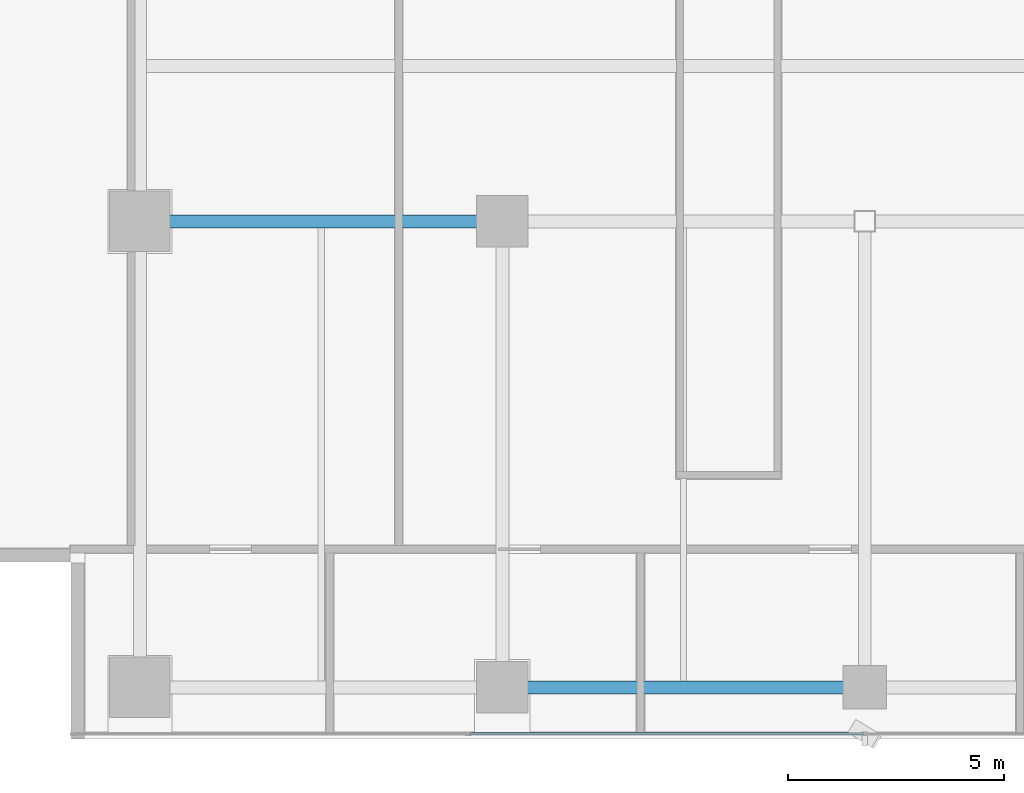
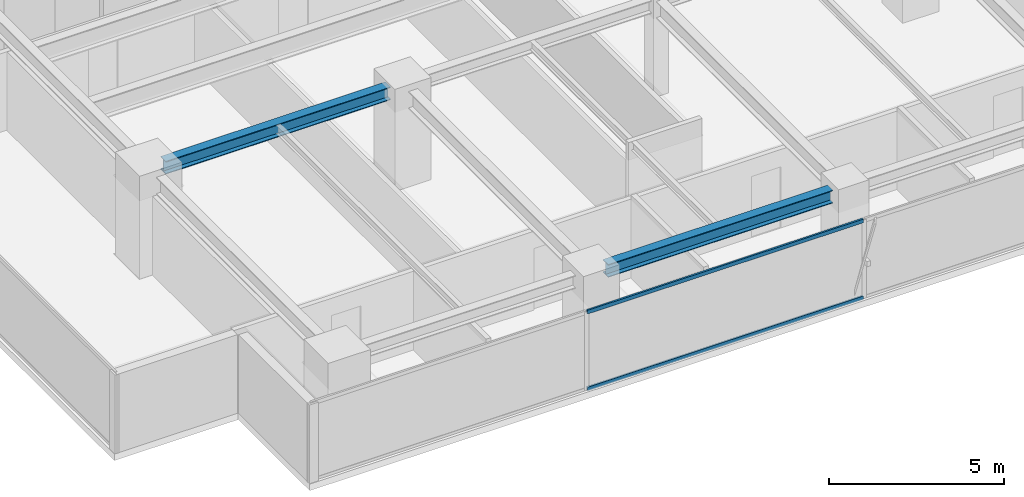
# One storey, part 5 of 26: 2 beams, 2 members, 1 element without a shape of its own.
"""IFC4 building model written with IfcOpenShell, lengths in metres."""

from ifc_helpers import new_model, si_unit, direction, frame, origin, origin_2d, place, context, subcontext, project, spatial, hollow_rectangle, i_section, extrude, source, transform, mapped, material, layer, layer_set, material_profile, profile_set, type_object, element, aggregate, save


model = new_model("IFC4")

# Units and contexts
model_context = context("Model", 3, precision=1e-05, world=origin(), true_north=direction((0.0, 1.0)))
body_context = subcontext(model_context, "Body", "Model", "MODEL_VIEW")
ifc_project = project(units=[si_unit("LENGTHUNIT", "METRE"), si_unit("AREAUNIT", "SQUARE_METRE"), si_unit("VOLUMEUNIT", "CUBIC_METRE"), si_unit("PLANEANGLEUNIT", "RADIAN"), si_unit("MASSUNIT", "GRAM", prefix="KILO")], contexts=[model_context])

# Site, building, storey
site_placement = place(None, origin())
site = spatial("IfcSite", under=ifc_project, at=site_placement, CompositionType="ELEMENT")
building_placement = place(site_placement, origin())
building = spatial("IfcBuilding", under=site, at=building_placement, Name="Sumidabori Civic Tower", CompositionType="ELEMENT")
storey_placement = place(building_placement, frame((0.0, 0.0, 261.199951171875)))
storey = spatial("IfcBuildingStorey", under=building, at=storey_placement, Name="L68", CompositionType="ELEMENT", Elevation=261.199951171875)

# Beams
ifc_material_1 = material(Name="Steel SN490", Category="steel")
ifc_material_profile_1 = material_profile(ifc_material_1, i_section(OverallWidth=0.300048828125, OverallDepth=0.449951171875, WebThickness=0.013916015625, FlangeThickness=0.02587890625, at=origin_2d()), Name="HE 450 B")
ifc_profile_set_1 = profile_set([ifc_material_profile_1], Name="Steel SN490")
beam_type = type_object("IfcBeamType", Name="BM-GIRD-450", PredefinedType="BEAM", material=ifc_profile_set_1)
shared_shape_1 = source(origin(), body_context, "Body", "SweptSolid", [
    extrude(i_section(OverallWidth=0.300048828125, OverallDepth=0.449951171875, WebThickness=0.013916015625, FlangeThickness=0.02587890625, at=origin_2d()), origin(), (0.0, 0.0, 1.0), 7.440185546875),
])
beam_1_placement = place(storey_placement, frame((-16.320068359375, 0.0, 3.14501953125), z_axis=(1.0, 0.0, 0.0), x_axis=(0.0, 1.0, 0.0)))
element("IfcBeam", 1, at=beam_1_placement, inside=storey, type_object=beam_type, Name="Primary Girder L68 GX-05", PredefinedType="BEAM", context=body_context, shape_type="MappedRepresentation", body=[
    mapped(shared_shape_1, transform((0.0, 0.0, 0.0), x_axis=(1.0, 0.0, 0.0), y_axis=(0.0, 1.0, 0.0), z_axis=(0.0, 0.0, 1.0), scale=1.0)),
])
shared_shape_2 = source(origin(), body_context, "Body", "SweptSolid", [
    extrude(i_section(OverallWidth=0.300048828125, OverallDepth=0.449951171875, WebThickness=0.013916015625, FlangeThickness=0.02587890625, at=origin_2d()), origin(), (0.0, 0.0, 1.0), 7.43994140625),
])
beam_2_placement = place(storey_placement, frame((-7.919921875, -10.800048828125, 3.14501953125), z_axis=(1.0, 0.0, 0.0), x_axis=(0.0, 1.0, 0.0)))
element("IfcBeam", 2, at=beam_2_placement, inside=storey, type_object=beam_type, Name="Primary Girder L68 GX-02", PredefinedType="BEAM", context=body_context, shape_type="MappedRepresentation", body=[
    mapped(shared_shape_2, transform((0.0, 0.0, 0.0), x_axis=(1.0, 0.0, 0.0), y_axis=(0.0, 1.0, 0.0), z_axis=(0.0, 0.0, 1.0), scale=1.0)),
])

# Curtain wall, members
ifc_material_2 = material(Name="Anodised Bronze Aluminium AW-6063-T6", Category="aluminium")
ifc_layer = layer(ifc_material_2, 0.179931640625, Name="Anodised Bronze Aluminium AW-6063-T6")
ifc_layer_set = layer_set([ifc_layer], Name="Anodised Bronze Aluminium AW-6063-T6")
curtain_wall_type = type_object("IfcCurtainWallType", Name="CW-SYS-5", PredefinedType="NOTDEFINED", material=ifc_layer_set)
curtain_wall_placement = place(storey_placement, origin())
curtain_wall = element("IfcCurtainWall", 3, at=curtain_wall_placement, inside=storey, type_object=curtain_wall_type, Name="Curtain Wall CW:L68:R01", PredefinedType="NOTDEFINED")
ifc_material_profile_2 = material_profile(ifc_material_2, hollow_rectangle(XDim=0.06005859375, YDim=0.1298828125, WallThickness=0.0048828125, at=origin_2d()), Name="ALU TRANSOM 130x60")
ifc_profile_set_2 = profile_set([ifc_material_profile_2], Name="Anodised Bronze Aluminium AW-6063-T6")
member_type = type_object("IfcMemberType", Name="CW-TRN-130", PredefinedType="USERDEFINED", material=ifc_profile_set_2)
shared_shape_3 = source(origin(), body_context, "Body", "SweptSolid", [
    extrude(hollow_rectangle(XDim=0.06005859375, YDim=0.1298828125, WallThickness=0.0048828125, at=origin_2d()), origin(), (0.0, 0.0, 1.0), 9.125),
])
member_1_placement = place(storey_placement, frame((-9.155029296875, -11.8798828125, 0.030029296875), z_axis=(1.0, 0.0, 0.0), x_axis=(0.0, 1.0, 0.0)))
member_1 = element("IfcMember", 4, at=member_1_placement, type_object=member_type, Name="CW-5 transom 2.1", ObjectType="TRANSOM", PredefinedType="USERDEFINED", context=body_context, shape_type="MappedRepresentation", body=[
    mapped(shared_shape_3, transform((0.0, 0.0, 0.0), x_axis=(1.0, 0.0, 0.0), y_axis=(0.0, 1.0, 0.0), z_axis=(0.0, 0.0, 1.0), scale=1.0)),
])
member_2_placement = place(storey_placement, frame((-9.155029296875, -11.8798828125, 2.719970703125), z_axis=(1.0, 0.0, 0.0), x_axis=(0.0, 1.0, 0.0)))
member_2 = element("IfcMember", 5, at=member_2_placement, type_object=member_type, Name="CW-5 transom 2.2", ObjectType="TRANSOM", PredefinedType="USERDEFINED", context=body_context, shape_type="MappedRepresentation", body=[
    mapped(shared_shape_3, transform((0.0, 0.0, 0.0), x_axis=(1.0, 0.0, 0.0), y_axis=(0.0, 1.0, 0.0), z_axis=(0.0, 0.0, 1.0), scale=1.0)),
])
aggregate(curtain_wall, [member_1, member_2])

save(model, "model.ifc")
